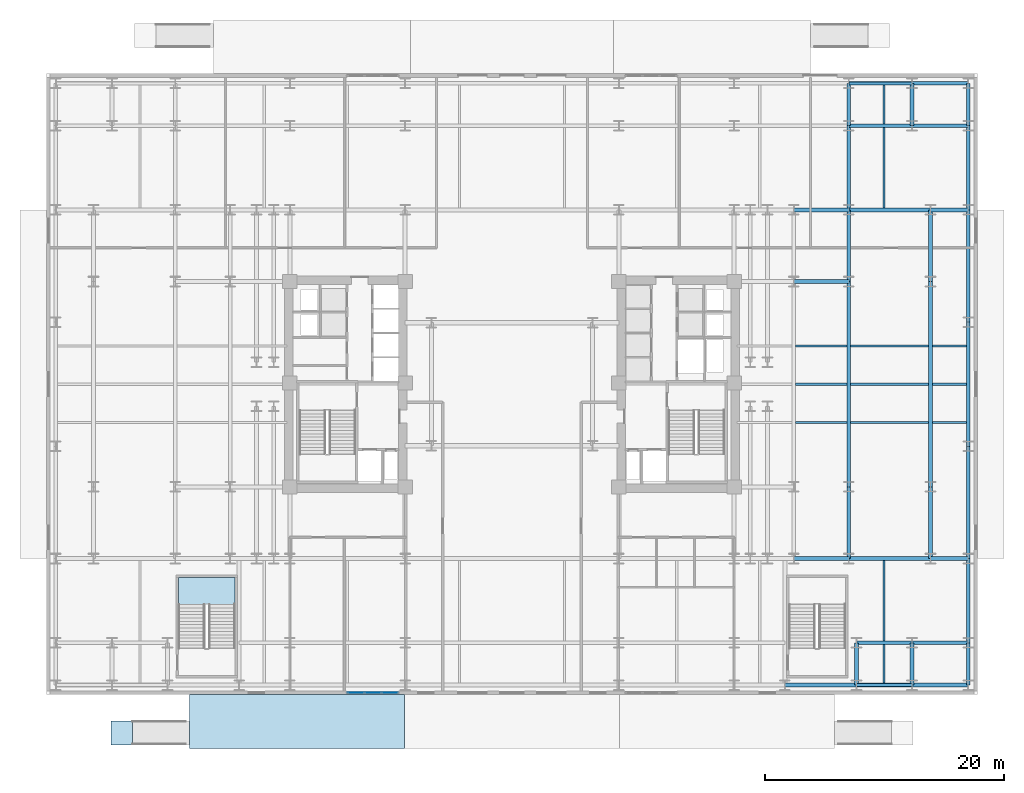
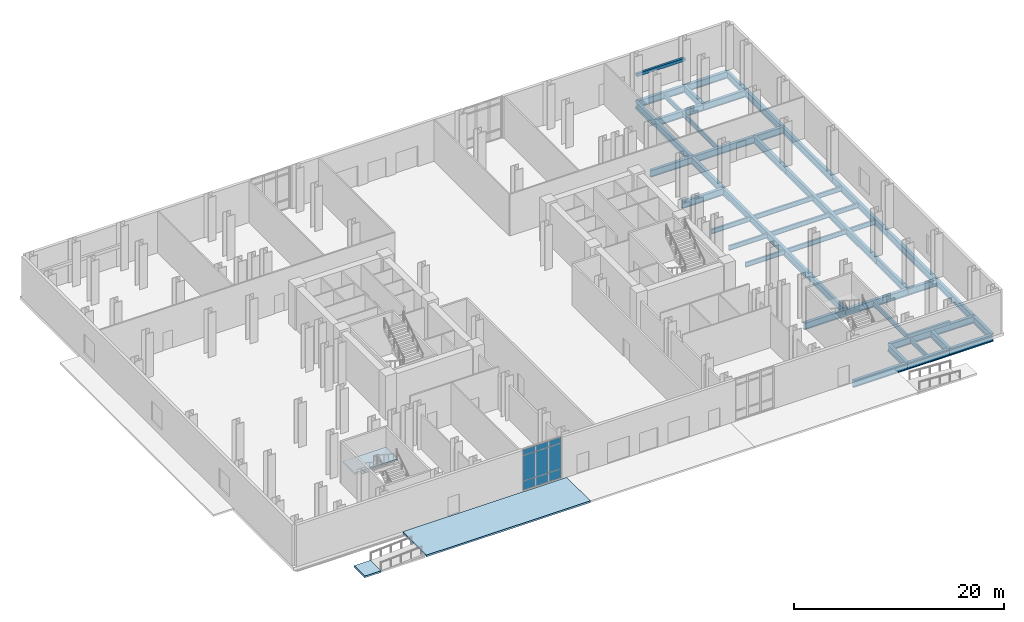
# One storey, part 9 of 21: 49 beams, 9 plates, 3 slabs, 2 elements without a shape of their own.
"""IFC4 building model written with IfcOpenShell, lengths in metres."""

import ifcopenshell
import ifcopenshell.guid

model = None  # the IFC model being written
_history = None  # IfcOwnerHistory: only IFC2X3 demands one
_inside = {}  # id of a spatial element -> (the spatial element, [elements in it])
_under = {}  # id of a project, library or spatial element -> (it, [spatial elements below it])
_declared = {}  # id of a project -> (the project, [libraries it declares])
_typed = {}  # id of a type object -> (the type object, [elements of that type])
_made_of = {}  # id of a material, layer set ... -> (it, [elements and type objects made of it])


def new_model(schema):
    """Start an empty IFC model of exactly this schema.

    Asked for "IFC4X3", IfcOpenShell would pick the latest addendum, in which some entities
    have other attributes; the version numbers below select the first issue.
    IFC2X3 requires an IfcOwnerHistory on every rooted entity: one is made here for all.
    """
    global model, _history
    if schema == "IFC4X3":
        model = ifcopenshell.file(schema_version=(4, 3, 0, 0))
    else:
        model = ifcopenshell.file(schema=schema)
    _inside.clear()
    _under.clear()
    _declared.clear()
    _typed.clear()
    _made_of.clear()
    _history = None
    if model.schema == "IFC2X3":
        org = make("IfcOrganization", Name="unknown")
        user = make(
            "IfcPersonAndOrganization",
            ThePerson=make("IfcPerson", FamilyName="unknown"),
            TheOrganization=org,
        )
        app = make(
            "IfcApplication",
            ApplicationDeveloper=org,
            Version="unknown",
            ApplicationFullName="unknown",
            ApplicationIdentifier="unknown",
        )
        _history = make(
            "IfcOwnerHistory",
            OwningUser=user,
            OwningApplication=app,
            ChangeAction="ADDED",
            CreationDate=0,
        )
    return model


def make(cls, **values):
    """One entity of the class cls with the attributes given. An attribute that is None is left unset."""
    return model.create_entity(
        cls, **{name: value for name, value in values.items() if value is not None}
    )


def rooted(cls, **values):
    """An entity with a GlobalId (a new one), such as an element, a storey or a relation."""
    return make(cls, GlobalId=ifcopenshell.guid.new(), OwnerHistory=_history, **values)


def si_unit(unit_type, name, prefix=None):
    """IfcSIUnit, for example si_unit("LENGTHUNIT", "METRE", prefix="MILLI")."""
    return make("IfcSIUnit", UnitType=unit_type, Prefix=prefix, Name=name)


def assignment(units):
    """IfcUnitAssignment: the units of a project."""
    return None if units is None else make("IfcUnitAssignment", Units=units)


def point(xyz):
    """IfcCartesianPoint."""
    return None if xyz is None else make("IfcCartesianPoint", Coordinates=xyz)


def direction(xyz):
    """IfcDirection."""
    return None if xyz is None else make("IfcDirection", DirectionRatios=xyz)


def frame(location, z_axis=None, x_axis=None):
    """IfcAxis2Placement3D, a coordinate frame: its origin and axes. An axis left out is left unset."""
    return make(
        "IfcAxis2Placement3D",
        Location=point(location),
        Axis=direction(z_axis),
        RefDirection=direction(x_axis),
    )


def frame_2d(location, x_axis=None):
    """IfcAxis2Placement2D, a coordinate frame in the plane: its origin and x axis."""
    return make(
        "IfcAxis2Placement2D", Location=point(location), RefDirection=direction(x_axis)
    )


def origin():
    """The frame at (0, 0, 0) with its axes left unset."""
    return frame((0.0, 0.0, 0.0))


def origin_2d():
    """The frame at (0, 0) in the plane with its x axis left unset."""
    return frame_2d((0.0, 0.0))


def place(relative_to, where):
    """IfcLocalPlacement: puts the frame where relative to a parent placement (None: the world)."""
    return make(
        "IfcLocalPlacement", PlacementRelTo=relative_to, RelativePlacement=where
    )


def context(
    kind, dimensions, precision=None, world=None, true_north=None, identifier=None
):
    """IfcGeometricRepresentationContext, for example the 3D "Model" context."""
    return make(
        "IfcGeometricRepresentationContext",
        ContextIdentifier=identifier,
        ContextType=kind,
        CoordinateSpaceDimension=dimensions,
        Precision=precision,
        WorldCoordinateSystem=world,
        TrueNorth=true_north,
    )


def subcontext(parent, identifier, kind, view, scale=None):
    """IfcGeometricRepresentationSubContext, for example "Body" below "Model"."""
    return make(
        "IfcGeometricRepresentationSubContext",
        ContextIdentifier=identifier,
        ContextType=kind,
        ParentContext=parent,
        TargetScale=scale,
        TargetView=view,
    )


def project(units=None, contexts=None):
    """IfcProject with its units and contexts."""
    return rooted(
        "IfcProject",
        Name="project",
        RepresentationContexts=contexts,
        UnitsInContext=assignment(units),
    )


def spatial(cls, under=None, at=None, **own):
    """A site, building, storey or space (cls), placed at a placement, below another one or the project."""
    s = rooted(cls, ObjectPlacement=at, **own)
    if under is not None:
        _under.setdefault(under.id(), (under, []))[1].append(s)
    return s


def polyline(points):
    """IfcPolyline through the points."""
    return make("IfcPolyline", Points=[point(p) for p in points])


def profile(cls, at=None, kind="AREA", **sizes):
    """A parametric profile (cls). Its sizes go by their IFC names, for example OverallWidth=200.0."""
    return make(cls, ProfileType=kind, Position=at, **sizes)


def rectangle(**sizes):
    """IfcRectangleProfileDef."""
    return profile("IfcRectangleProfileDef", **sizes)


def i_section(**sizes):
    """IfcIShapeProfileDef."""
    return profile("IfcIShapeProfileDef", **sizes)


def outline(outer, holes=None, kind="AREA"):
    """IfcArbitraryClosedProfileDef: a profile drawn as a closed curve; with holes, ...WithVoids."""
    if holes is None:
        return make("IfcArbitraryClosedProfileDef", ProfileType=kind, OuterCurve=outer)
    return make(
        "IfcArbitraryProfileDefWithVoids",
        ProfileType=kind,
        OuterCurve=outer,
        InnerCurves=holes,
    )


def extrude(swept, where, along, depth):
    """IfcExtrudedAreaSolid: the profile swept, set in the frame where, extruded along a direction by depth."""
    return make(
        "IfcExtrudedAreaSolid",
        SweptArea=swept,
        Position=where,
        ExtrudedDirection=direction(along),
        Depth=depth,
    )


def shape(context_of_items, identifier, shape_type, items):
    """IfcShapeRepresentation: the items that make up one representation, for example the "Body"."""
    return make(
        "IfcShapeRepresentation",
        ContextOfItems=context_of_items,
        RepresentationIdentifier=identifier,
        RepresentationType=shape_type,
        Items=items,
    )


def material(Name=None, Category=None):
    """IfcMaterial."""
    return make("IfcMaterial", Name=Name, Category=Category)


def layer(
    of_material, thickness, ventilated=None, Name=None, Category=None, Priority=None
):
    """IfcMaterialLayer: one layer of a wall or slab, of a material (None: an air gap)."""
    return make(
        "IfcMaterialLayer",
        Material=of_material,
        LayerThickness=thickness,
        IsVentilated=ventilated,
        Name=Name,
        Category=Category,
        Priority=Priority,
    )


def layer_set(layers, Name=None):
    """IfcMaterialLayerSet."""
    return make("IfcMaterialLayerSet", MaterialLayers=layers, LayerSetName=Name)


def material_profile(
    of_material, cross_section, Name=None, Category=None, Priority=None
):
    """IfcMaterialProfile: a cross section and its material."""
    return make(
        "IfcMaterialProfile",
        Name=Name,
        Material=of_material,
        Profile=cross_section,
        Priority=Priority,
        Category=Category,
    )


def profile_set(profiles, Name=None, composite=None):
    """IfcMaterialProfileSet."""
    return make(
        "IfcMaterialProfileSet",
        Name=Name,
        MaterialProfiles=profiles,
        CompositeProfile=composite,
    )


def made_of(thing, what):
    """Note that an element or type object is made of a material, layer set ...; save() writes the relation."""
    if what is not None:
        _made_of.setdefault(what.id(), (what, []))[1].append(thing)
    return thing


def type_object(cls, material=None, **own):
    """A type object (cls), such as IfcWallType, which elements share."""
    return made_of(rooted(cls, **own), material)


def element(
    cls,
    number,
    at=None,
    inside=None,
    cuts=None,
    type_object=None,
    material=None,
    context=None,
    identifier="Body",
    shape_type=None,
    held_by="IfcProductDefinitionShape",
    body=None,
    shapes=None,
    **own,
):
    """One element of the class cls, such as IfcWall. Its Tag is "e" and its number.

    at: its placement. inside: the storey or other place that contains it. cuts: it is an
    opening in that element (IfcRelVoidsElement). A single representation is given by context,
    identifier, shape_type and body (its items); several are given by shapes. held_by: the class
    of the entity that holds the representations. save() writes the other relations.
    """
    e = rooted(cls, Tag="e%d" % number, ObjectPlacement=at, **own)
    if body is not None:
        shapes = [shape(context, identifier, shape_type, body)]
    if shapes is not None:
        e.Representation = make(held_by, Representations=shapes)
    if inside is not None:
        _inside.setdefault(inside.id(), (inside, []))[1].append(e)
    if cuts is not None:
        rooted(
            "IfcRelVoidsElement", RelatingBuildingElement=cuts, RelatedOpeningElement=e
        )
    if type_object is not None:
        _typed.setdefault(type_object.id(), (type_object, []))[1].append(e)
    return made_of(e, material)


def aggregate(whole, parts):
    """IfcRelAggregates: a whole, such as a stair, and the parts it consists of."""
    return rooted("IfcRelAggregates", RelatingObject=whole, RelatedObjects=parts)


def save(model, path):
    """Write the relations noted so far, then the file.

    IfcRelAggregates (storeys below a building ...), IfcRelContainedInSpatialStructure (elements
    in a storey), IfcRelDefinesByType, IfcRelAssociatesMaterial and IfcRelDeclares: one each for
    every whole, place, type object, material and project.
    """
    for whole, parts in _under.values():
        aggregate(whole, parts)
    for where, things in _inside.values():
        rooted(
            "IfcRelContainedInSpatialStructure",
            RelatedElements=things,
            RelatingStructure=where,
        )
    for kind, things in _typed.values():
        rooted("IfcRelDefinesByType", RelatedObjects=things, RelatingType=kind)
    for what, things in _made_of.values():
        rooted("IfcRelAssociatesMaterial", RelatedObjects=things, RelatingMaterial=what)
    for by, libraries in _declared.values():
        rooted("IfcRelDeclares", RelatingContext=by, RelatedDefinitions=libraries)
    model.write(path)


model = new_model("IFC4")

# Units and contexts
model_context = context("Model", 3, precision=1e-05, world=origin(), true_north=direction((0.0, 1.0)))
body_context = subcontext(model_context, "Body", "Model", "MODEL_VIEW")
ifc_project = project(units=[si_unit("LENGTHUNIT", "METRE"), si_unit("AREAUNIT", "SQUARE_METRE"), si_unit("VOLUMEUNIT", "CUBIC_METRE"), si_unit("PLANEANGLEUNIT", "RADIAN"), si_unit("MASSUNIT", "GRAM", prefix="KILO")], contexts=[model_context])

# Site, building, storey
site_placement = place(None, origin())
site = spatial("IfcSite", under=ifc_project, at=site_placement, CompositionType="ELEMENT")
building_placement = place(site_placement, origin())
building = spatial("IfcBuilding", under=site, at=building_placement, Name="Velakula Bourse", CompositionType="ELEMENT")
storey_placement = place(building_placement, origin())
storey = spatial("IfcBuildingStorey", under=building, at=storey_placement, Name="L00", CompositionType="ELEMENT", Elevation=0.0)

# Beams
ifc_material_1 = material(Name="Steel IS 2062 Grade 350 (E350)", Category="steel")
ifc_material_profile_1 = material_profile(ifc_material_1, i_section(OverallWidth=0.320068359375, OverallDepth=0.800048828125, WebThickness=0.01806640625, FlangeThickness=0.028076171875, at=origin_2d()), Name="Steel IS 2062 Grade 350 (E350)")
ifc_profile_set_1 = profile_set([ifc_material_profile_1], Name="Steel IS 2062 Grade 350 (E350)")
beam_type_1 = type_object("IfcBeamType", Name="BM-POD-800", PredefinedType="BEAM", material=ifc_profile_set_1)
for number, where, z_axis, x_axis, name in (
    (1, (23.60009765625, -14.60009765625, -0.75), (1.0, 0.0, 0.0), (0.0, 1.0, 0.0), "L00 Fulcrum Grid Girder WNG-ES1"),
    (2, (23.60009765625, 8.60009765625, -0.75), (1.0, 0.0, 0.0), (0.0, 1.0, 0.0), "L00 Fulcrum Grid Girder WNG-EN1"),
    (3, (23.60009765625, 14.60009765625, -0.75), (1.0, 0.0, 0.0), (0.0, 1.0, 0.0), "L00 Fulcrum Grid Girder WNG-EN2"),
):
    element("IfcBeam", number, at=place(storey_placement, frame(where, z_axis=z_axis, x_axis=x_axis)), inside=storey, type_object=beam_type_1, Name=name, PredefinedType="BEAM", context=body_context, shape_type="SweptSolid", body=[
        extrude(i_section(OverallWidth=0.320068359375, OverallDepth=0.800048828125, WebThickness=0.01806640625, FlangeThickness=0.028076171875, at=origin_2d()), origin(), (0.0, 0.0, 1.0), 4.599853515625),
    ])
beam_1_placement = place(storey_placement, frame((28.199951171875, -14.60009765625, -0.75), z_axis=(0.0, 1.0, 0.0), x_axis=(-1.0, 0.0, 0.0)))
element("IfcBeam", 4, at=beam_1_placement, inside=storey, type_object=beam_type_1, Name="L00 Fulcrum Grid Girder WNG-ENS1", PredefinedType="BEAM", context=body_context, shape_type="SweptSolid", body=[
    extrude(i_section(OverallWidth=0.320068359375, OverallDepth=0.800048828125, WebThickness=0.01806640625, FlangeThickness=0.028076171875, at=origin_2d()), origin(), (0.0, 0.0, 1.0), 6.0),
])
beam_2_placement = place(storey_placement, frame((28.199951171875, -8.60009765625, -0.75), z_axis=(0.0, 1.0, 0.0), x_axis=(-1.0, 0.0, 0.0)))
element("IfcBeam", 5, at=beam_2_placement, inside=storey, type_object=beam_type_1, Name="L00 Fulcrum Grid Girder WNG-ENS2", PredefinedType="BEAM", context=body_context, shape_type="SweptSolid", body=[
    extrude(i_section(OverallWidth=0.320068359375, OverallDepth=0.800048828125, WebThickness=0.01806640625, FlangeThickness=0.028076171875, at=origin_2d()), origin(), (0.0, 0.0, 1.0), 17.2001953125),
])
for number, where, z_axis, x_axis, name in (
    (6, (28.199951171875, 8.60009765625, -0.75), (0.0, 1.0, 0.0), (-1.0, 0.0, 0.0), "L00 Fulcrum Grid Girder WNG-ENS3"),
    (7, (22.85009765625, -25.199951171875, -0.75), (1.0, 0.0, 0.0), (0.0, 1.0, 0.0), "L00 Podium E-W Girder 09"),
):
    element("IfcBeam", number, at=place(storey_placement, frame(where, z_axis=z_axis, x_axis=x_axis)), inside=storey, type_object=beam_type_1, Name=name, PredefinedType="BEAM", context=body_context, shape_type="SweptSolid", body=[
        extrude(i_section(OverallWidth=0.320068359375, OverallDepth=0.800048828125, WebThickness=0.01806640625, FlangeThickness=0.028076171875, at=origin_2d()), origin(), (0.0, 0.0, 1.0), 6.0),
    ])
beam_3_placement = place(storey_placement, frame((28.85009765625, -25.199951171875, -0.75), z_axis=(1.0, 0.0, 0.0), x_axis=(0.0, 1.0, 0.0)))
element("IfcBeam", 8, at=beam_3_placement, inside=storey, type_object=beam_type_1, Name="L00 Podium E-W Girder 10", PredefinedType="BEAM", context=body_context, shape_type="SweptSolid", body=[
    extrude(i_section(OverallWidth=0.320068359375, OverallDepth=0.800048828125, WebThickness=0.01806640625, FlangeThickness=0.028076171875, at=origin_2d()), origin(), (0.0, 0.0, 1.0), 4.64990234375),
])
beam_4_placement = place(storey_placement, frame((33.5, -25.199951171875, -0.75), z_axis=(1.0, 0.0, 0.0), x_axis=(0.0, 1.0, 0.0)))
element("IfcBeam", 9, at=beam_4_placement, inside=storey, type_object=beam_type_1, Name="L00 Podium E-W Girder 11", PredefinedType="BEAM", context=body_context, shape_type="SweptSolid", body=[
    extrude(i_section(OverallWidth=0.320068359375, OverallDepth=0.800048828125, WebThickness=0.01806640625, FlangeThickness=0.028076171875, at=origin_2d()), origin(), (0.0, 0.0, 1.0), 4.699951171875),
])
beam_5_placement = place(storey_placement, frame((28.85009765625, -21.64990234375, -0.75), z_axis=(1.0, 0.0, 0.0), x_axis=(0.0, 1.0, 0.0)))
element("IfcBeam", 10, at=beam_5_placement, inside=storey, type_object=beam_type_1, Name="L00 Podium E-W Girder 19", PredefinedType="BEAM", context=body_context, shape_type="SweptSolid", body=[
    extrude(i_section(OverallWidth=0.320068359375, OverallDepth=0.800048828125, WebThickness=0.01806640625, FlangeThickness=0.028076171875, at=origin_2d()), origin(), (0.0, 0.0, 1.0), 4.64990234375),
])
beam_6_placement = place(storey_placement, frame((33.5, -21.64990234375, -0.75), z_axis=(1.0, 0.0, 0.0), x_axis=(0.0, 1.0, 0.0)))
element("IfcBeam", 11, at=beam_6_placement, inside=storey, type_object=beam_type_1, Name="L00 Podium E-W Girder 20", PredefinedType="BEAM", context=body_context, shape_type="SweptSolid", body=[
    extrude(i_section(OverallWidth=0.320068359375, OverallDepth=0.800048828125, WebThickness=0.01806640625, FlangeThickness=0.028076171875, at=origin_2d()), origin(), (0.0, 0.0, 1.0), 4.699951171875),
])
beam_7_placement = place(storey_placement, frame((28.199951171875, -14.60009765625, -0.75), z_axis=(1.0, 0.0, 0.0), x_axis=(0.0, 1.0, 0.0)))
element("IfcBeam", 12, at=beam_7_placement, inside=storey, type_object=beam_type_1, Name="L00 Podium E-W Girder 32", PredefinedType="BEAM", context=body_context, shape_type="SweptSolid", body=[
    extrude(i_section(OverallWidth=0.320068359375, OverallDepth=0.800048828125, WebThickness=0.01806640625, FlangeThickness=0.028076171875, at=origin_2d()), origin(), (0.0, 0.0, 1.0), 6.85009765625),
])
beam_8_placement = place(storey_placement, frame((35.050048828125, -14.60009765625, -0.75), z_axis=(1.0, 0.0, 0.0), x_axis=(0.0, 1.0, 0.0)))
element("IfcBeam", 13, at=beam_8_placement, inside=storey, type_object=beam_type_1, Name="L00 Podium E-W Girder 33", PredefinedType="BEAM", context=body_context, shape_type="SweptSolid", body=[
    extrude(i_section(OverallWidth=0.320068359375, OverallDepth=0.800048828125, WebThickness=0.01806640625, FlangeThickness=0.028076171875, at=origin_2d()), origin(), (0.0, 0.0, 1.0), 3.14990234375),
])
beam_9_placement = place(storey_placement, frame((28.199951171875, 14.60009765625, -0.75), z_axis=(1.0, 0.0, 0.0), x_axis=(0.0, 1.0, 0.0)))
element("IfcBeam", 14, at=beam_9_placement, inside=storey, type_object=beam_type_1, Name="L00 Podium E-W Girder 45", PredefinedType="BEAM", context=body_context, shape_type="SweptSolid", body=[
    extrude(i_section(OverallWidth=0.320068359375, OverallDepth=0.800048828125, WebThickness=0.01806640625, FlangeThickness=0.028076171875, at=origin_2d()), origin(), (0.0, 0.0, 1.0), 6.85009765625),
])
beam_10_placement = place(storey_placement, frame((35.050048828125, 14.60009765625, -0.75), z_axis=(1.0, 0.0, 0.0), x_axis=(0.0, 1.0, 0.0)))
element("IfcBeam", 15, at=beam_10_placement, inside=storey, type_object=beam_type_1, Name="L00 Podium E-W Girder 46", PredefinedType="BEAM", context=body_context, shape_type="SweptSolid", body=[
    extrude(i_section(OverallWidth=0.320068359375, OverallDepth=0.800048828125, WebThickness=0.01806640625, FlangeThickness=0.028076171875, at=origin_2d()), origin(), (0.0, 0.0, 1.0), 3.14990234375),
])
beam_11_placement = place(storey_placement, frame((28.199951171875, 21.64990234375, -0.75), z_axis=(1.0, 0.0, 0.0), x_axis=(0.0, 1.0, 0.0)))
element("IfcBeam", 16, at=beam_11_placement, inside=storey, type_object=beam_type_1, Name="L00 Podium E-W Girder 54", PredefinedType="BEAM", context=body_context, shape_type="SweptSolid", body=[
    extrude(i_section(OverallWidth=0.320068359375, OverallDepth=0.800048828125, WebThickness=0.01806640625, FlangeThickness=0.028076171875, at=origin_2d()), origin(), (0.0, 0.0, 1.0), 5.300048828125),
])
beam_12_placement = place(storey_placement, frame((33.5, 21.64990234375, -0.75), z_axis=(1.0, 0.0, 0.0), x_axis=(0.0, 1.0, 0.0)))
element("IfcBeam", 17, at=beam_12_placement, inside=storey, type_object=beam_type_1, Name="L00 Podium E-W Girder 55", PredefinedType="BEAM", context=body_context, shape_type="SweptSolid", body=[
    extrude(i_section(OverallWidth=0.320068359375, OverallDepth=0.800048828125, WebThickness=0.01806640625, FlangeThickness=0.028076171875, at=origin_2d()), origin(), (0.0, 0.0, 1.0), 4.699951171875),
])
beam_13_placement = place(storey_placement, frame((28.199951171875, 25.199951171875, -0.75), z_axis=(1.0, 0.0, 0.0), x_axis=(0.0, 1.0, 0.0)))
element("IfcBeam", 18, at=beam_13_placement, inside=storey, type_object=beam_type_1, Name="L00 Podium E-W Girder 63", PredefinedType="BEAM", context=body_context, shape_type="SweptSolid", body=[
    extrude(i_section(OverallWidth=0.320068359375, OverallDepth=0.800048828125, WebThickness=0.01806640625, FlangeThickness=0.028076171875, at=origin_2d()), origin(), (0.0, 0.0, 1.0), 5.300048828125),
])
beam_14_placement = place(storey_placement, frame((33.5, 25.199951171875, -0.75), z_axis=(1.0, 0.0, 0.0), x_axis=(0.0, 1.0, 0.0)))
element("IfcBeam", 19, at=beam_14_placement, inside=storey, type_object=beam_type_1, Name="L00 Podium E-W Girder 64", PredefinedType="BEAM", context=body_context, shape_type="SweptSolid", body=[
    extrude(i_section(OverallWidth=0.320068359375, OverallDepth=0.800048828125, WebThickness=0.01806640625, FlangeThickness=0.028076171875, at=origin_2d()), origin(), (0.0, 0.0, 1.0), 4.699951171875),
])
beam_15_placement = place(storey_placement, frame((28.199951171875, 14.60009765625, -0.75), z_axis=(0.0, 1.0, 0.0), x_axis=(-1.0, 0.0, 0.0)))
element("IfcBeam", 20, at=beam_15_placement, inside=storey, type_object=beam_type_1, Name="L00 Podium N-S Girder 85", PredefinedType="BEAM", context=body_context, shape_type="SweptSolid", body=[
    extrude(i_section(OverallWidth=0.320068359375, OverallDepth=0.800048828125, WebThickness=0.01806640625, FlangeThickness=0.028076171875, at=origin_2d()), origin(), (0.0, 0.0, 1.0), 7.0498046875),
])
for number, where, z_axis, x_axis, name in (
    (21, (28.199951171875, 21.64990234375, -0.75), (0.0, 1.0, 0.0), (-1.0, 0.0, 0.0), "L00 Podium N-S Girder 86"),
    (22, (28.85009765625, -25.199951171875, -0.75), (0.0, 1.0, 0.0), (-1.0, 0.0, 0.0), "L00 Podium N-S Girder 87"),
    (23, (33.5, -25.199951171875, -0.75), (0.0, 1.0, 0.0), (-1.0, 0.0, 0.0), "L00 Podium N-S Girder 88"),
):
    element("IfcBeam", number, at=place(storey_placement, frame(where, z_axis=z_axis, x_axis=x_axis)), inside=storey, type_object=beam_type_1, Name=name, PredefinedType="BEAM", context=body_context, shape_type="SweptSolid", body=[
        extrude(i_section(OverallWidth=0.320068359375, OverallDepth=0.800048828125, WebThickness=0.01806640625, FlangeThickness=0.028076171875, at=origin_2d()), origin(), (0.0, 0.0, 1.0), 3.550048828125),
    ])
beam_16_placement = place(storey_placement, frame((35.050048828125, -14.60009765625, -0.75), z_axis=(0.0, 1.0, 0.0), x_axis=(-1.0, 0.0, 0.0)))
element("IfcBeam", 24, at=beam_16_placement, inside=storey, type_object=beam_type_1, Name="L00 Podium N-S Girder 89", PredefinedType="BEAM", context=body_context, shape_type="SweptSolid", body=[
    extrude(i_section(OverallWidth=0.320068359375, OverallDepth=0.800048828125, WebThickness=0.01806640625, FlangeThickness=0.028076171875, at=origin_2d()), origin(), (0.0, 0.0, 1.0), 6.0),
])
beam_17_placement = place(storey_placement, frame((35.050048828125, -8.60009765625, -0.75), z_axis=(0.0, 1.0, 0.0), x_axis=(-1.0, 0.0, 0.0)))
element("IfcBeam", 25, at=beam_17_placement, inside=storey, type_object=beam_type_1, Name="L00 Podium N-S Girder 90", PredefinedType="BEAM", context=body_context, shape_type="SweptSolid", body=[
    extrude(i_section(OverallWidth=0.320068359375, OverallDepth=0.800048828125, WebThickness=0.01806640625, FlangeThickness=0.028076171875, at=origin_2d()), origin(), (0.0, 0.0, 1.0), 17.2001953125),
])
beam_18_placement = place(storey_placement, frame((35.050048828125, 8.60009765625, -0.75), z_axis=(0.0, 1.0, 0.0), x_axis=(-1.0, 0.0, 0.0)))
element("IfcBeam", 26, at=beam_18_placement, inside=storey, type_object=beam_type_1, Name="L00 Podium N-S Girder 91", PredefinedType="BEAM", context=body_context, shape_type="SweptSolid", body=[
    extrude(i_section(OverallWidth=0.320068359375, OverallDepth=0.800048828125, WebThickness=0.01806640625, FlangeThickness=0.028076171875, at=origin_2d()), origin(), (0.0, 0.0, 1.0), 6.0),
])
beam_19_placement = place(storey_placement, frame((38.199951171875, -25.199951171875, -0.75), z_axis=(0.0, 1.0, 0.0), x_axis=(-1.0, 0.0, 0.0)))
element("IfcBeam", 27, at=beam_19_placement, inside=storey, type_object=beam_type_1, Name="L00 Podium N-S Girder 92", PredefinedType="BEAM", context=body_context, shape_type="SweptSolid", body=[
    extrude(i_section(OverallWidth=0.320068359375, OverallDepth=0.800048828125, WebThickness=0.01806640625, FlangeThickness=0.028076171875, at=origin_2d()), origin(), (0.0, 0.0, 1.0), 3.550048828125),
])
beam_20_placement = place(storey_placement, frame((38.199951171875, -21.64990234375, -0.75), z_axis=(0.0, 1.0, 0.0), x_axis=(-1.0, 0.0, 0.0)))
element("IfcBeam", 28, at=beam_20_placement, inside=storey, type_object=beam_type_1, Name="L00 Podium N-S Girder 93", PredefinedType="BEAM", context=body_context, shape_type="SweptSolid", body=[
    extrude(i_section(OverallWidth=0.320068359375, OverallDepth=0.800048828125, WebThickness=0.01806640625, FlangeThickness=0.028076171875, at=origin_2d()), origin(), (0.0, 0.0, 1.0), 7.0498046875),
])
beam_21_placement = place(storey_placement, frame((38.199951171875, -14.60009765625, -0.75), z_axis=(0.0, 1.0, 0.0), x_axis=(-1.0, 0.0, 0.0)))
element("IfcBeam", 29, at=beam_21_placement, inside=storey, type_object=beam_type_1, Name="L00 Podium N-S Girder 94", PredefinedType="BEAM", context=body_context, shape_type="SweptSolid", body=[
    extrude(i_section(OverallWidth=0.320068359375, OverallDepth=0.800048828125, WebThickness=0.01806640625, FlangeThickness=0.028076171875, at=origin_2d()), origin(), (0.0, 0.0, 1.0), 9.400146484375),
])
beam_22_placement = place(storey_placement, frame((38.199951171875, -5.199951171875, -0.75), z_axis=(0.0, 1.0, 0.0), x_axis=(-1.0, 0.0, 0.0)))
element("IfcBeam", 30, at=beam_22_placement, inside=storey, type_object=beam_type_1, Name="L00 Podium N-S Girder 95", PredefinedType="BEAM", context=body_context, shape_type="SweptSolid", body=[
    extrude(i_section(OverallWidth=0.320068359375, OverallDepth=0.800048828125, WebThickness=0.01806640625, FlangeThickness=0.028076171875, at=origin_2d()), origin(), (0.0, 0.0, 1.0), 10.39990234375),
])
beam_23_placement = place(storey_placement, frame((38.199951171875, 5.199951171875, -0.75), z_axis=(0.0, 1.0, 0.0), x_axis=(-1.0, 0.0, 0.0)))
element("IfcBeam", 31, at=beam_23_placement, inside=storey, type_object=beam_type_1, Name="L00 Podium N-S Girder 96", PredefinedType="BEAM", context=body_context, shape_type="SweptSolid", body=[
    extrude(i_section(OverallWidth=0.320068359375, OverallDepth=0.800048828125, WebThickness=0.01806640625, FlangeThickness=0.028076171875, at=origin_2d()), origin(), (0.0, 0.0, 1.0), 9.400146484375),
])
beam_24_placement = place(storey_placement, frame((38.199951171875, 14.60009765625, -0.75), z_axis=(0.0, 1.0, 0.0), x_axis=(-1.0, 0.0, 0.0)))
element("IfcBeam", 32, at=beam_24_placement, inside=storey, type_object=beam_type_1, Name="L00 Podium N-S Girder 97", PredefinedType="BEAM", context=body_context, shape_type="SweptSolid", body=[
    extrude(i_section(OverallWidth=0.320068359375, OverallDepth=0.800048828125, WebThickness=0.01806640625, FlangeThickness=0.028076171875, at=origin_2d()), origin(), (0.0, 0.0, 1.0), 7.0498046875),
])
for number, where, z_axis, x_axis, name in (
    (33, (38.199951171875, 21.64990234375, -0.75), (0.0, 1.0, 0.0), (-1.0, 0.0, 0.0), "L00 Podium N-S Girder 98"),
    (34, (33.5, 21.64990234375, -0.75), (0.0, 1.0, 0.0), (-1.0, 0.0, 0.0), "L00 Podium N-S Girder 100"),
):
    element("IfcBeam", number, at=place(storey_placement, frame(where, z_axis=z_axis, x_axis=x_axis)), inside=storey, type_object=beam_type_1, Name=name, PredefinedType="BEAM", context=body_context, shape_type="SweptSolid", body=[
        extrude(i_section(OverallWidth=0.320068359375, OverallDepth=0.800048828125, WebThickness=0.01806640625, FlangeThickness=0.028076171875, at=origin_2d()), origin(), (0.0, 0.0, 1.0), 3.550048828125),
    ])
ifc_material_profile_2 = material_profile(ifc_material_1, i_section(OverallWidth=0.18994140625, OverallDepth=0.550048828125, WebThickness=0.01123046875, FlangeThickness=0.019287109375, at=origin_2d()), Name="Steel IS 2062 Grade 350 (E350)")
ifc_profile_set_2 = profile_set([ifc_material_profile_2], Name="Steel IS 2062 Grade 350 (E350)")
beam_type_2 = type_object("IfcBeamType", Name="JST-POD-550", PredefinedType="JOIST", material=ifc_profile_set_2)
beam_25_placement = place(storey_placement, frame((31.14990234375, -25.0400390625, -0.625), z_axis=(0.0, 1.0, 0.0), x_axis=(-1.0, 0.0, 0.0)))
element("IfcBeam", 35, at=beam_25_placement, inside=storey, type_object=beam_type_2, Name="L00 Station Podium Floor Joist 29", PredefinedType="JOIST", context=body_context, shape_type="SweptSolid", body=[
    extrude(i_section(OverallWidth=0.18994140625, OverallDepth=0.550048828125, WebThickness=0.01123046875, FlangeThickness=0.019287109375, at=origin_2d()), origin(), (0.0, 0.0, 1.0), 3.22998046875),
])
for number, where, z_axis, x_axis, name in (
    (36, (31.14990234375, -21.489990234375, -0.625), (0.0, 1.0, 0.0), (-1.0, 0.0, 0.0), "L00 Station Podium Floor Joist 30"),
    (37, (31.14990234375, 14.760009765625, -0.625), (0.0, 1.0, 0.0), (-1.0, 0.0, 0.0), "L00 Station Podium Floor Joist 31"),
):
    element("IfcBeam", number, at=place(storey_placement, frame(where, z_axis=z_axis, x_axis=x_axis)), inside=storey, type_object=beam_type_2, Name=name, PredefinedType="JOIST", context=body_context, shape_type="SweptSolid", body=[
        extrude(i_section(OverallWidth=0.18994140625, OverallDepth=0.550048828125, WebThickness=0.01123046875, FlangeThickness=0.019287109375, at=origin_2d()), origin(), (0.0, 0.0, 1.0), 6.72998046875),
    ])
beam_26_placement = place(storey_placement, frame((31.14990234375, 21.81005859375, -0.625), z_axis=(0.0, 1.0, 0.0), x_axis=(-1.0, 0.0, 0.0)))
element("IfcBeam", 38, at=beam_26_placement, inside=storey, type_object=beam_type_2, Name="L00 Station Podium Floor Joist 32", PredefinedType="JOIST", context=body_context, shape_type="SweptSolid", body=[
    extrude(i_section(OverallWidth=0.18994140625, OverallDepth=0.550048828125, WebThickness=0.01123046875, FlangeThickness=0.019287109375, at=origin_2d()), origin(), (0.0, 0.0, 1.0), 3.22998046875),
])
beam_27_placement = place(storey_placement, frame((23.760009765625, -3.199951171875, -0.625), z_axis=(1.0, 0.0, 0.0), x_axis=(0.0, 1.0, 0.0)))
element("IfcBeam", 39, at=beam_27_placement, inside=storey, type_object=beam_type_2, Name="L00 Station Wing Floor Joist 38", PredefinedType="JOIST", context=body_context, shape_type="SweptSolid", body=[
    extrude(i_section(OverallWidth=0.18994140625, OverallDepth=0.550048828125, WebThickness=0.01123046875, FlangeThickness=0.019287109375, at=origin_2d()), origin(), (0.0, 0.0, 1.0), 4.280029296875),
])
beam_28_placement = place(storey_placement, frame((28.360107421875, -3.199951171875, -0.625), z_axis=(1.0, 0.0, 0.0), x_axis=(0.0, 1.0, 0.0)))
element("IfcBeam", 40, at=beam_28_placement, inside=storey, type_object=beam_type_2, Name="L00 Station Wing Floor Joist 39", PredefinedType="JOIST", context=body_context, shape_type="SweptSolid", body=[
    extrude(i_section(OverallWidth=0.18994140625, OverallDepth=0.550048828125, WebThickness=0.01123046875, FlangeThickness=0.019287109375, at=origin_2d()), origin(), (0.0, 0.0, 1.0), 6.52978515625),
])
beam_29_placement = place(storey_placement, frame((35.2099609375, -3.199951171875, -0.625), z_axis=(1.0, 0.0, 0.0), x_axis=(0.0, 1.0, 0.0)))
element("IfcBeam", 41, at=beam_29_placement, inside=storey, type_object=beam_type_2, Name="L00 Station Wing Floor Joist 40", PredefinedType="JOIST", context=body_context, shape_type="SweptSolid", body=[
    extrude(i_section(OverallWidth=0.18994140625, OverallDepth=0.550048828125, WebThickness=0.01123046875, FlangeThickness=0.019287109375, at=origin_2d()), origin(), (0.0, 0.0, 1.0), 2.830078125),
])
beam_30_placement = place(storey_placement, frame((23.760009765625, 0.0, -0.625), z_axis=(1.0, 0.0, 0.0), x_axis=(0.0, 1.0, 0.0)))
element("IfcBeam", 42, at=beam_30_placement, inside=storey, type_object=beam_type_2, Name="L00 Station Wing Floor Joist 46", PredefinedType="JOIST", context=body_context, shape_type="SweptSolid", body=[
    extrude(i_section(OverallWidth=0.18994140625, OverallDepth=0.550048828125, WebThickness=0.01123046875, FlangeThickness=0.019287109375, at=origin_2d()), origin(), (0.0, 0.0, 1.0), 4.280029296875),
])
beam_31_placement = place(storey_placement, frame((28.360107421875, 0.0, -0.625), z_axis=(1.0, 0.0, 0.0), x_axis=(0.0, 1.0, 0.0)))
element("IfcBeam", 43, at=beam_31_placement, inside=storey, type_object=beam_type_2, Name="L00 Station Wing Floor Joist 47", PredefinedType="JOIST", context=body_context, shape_type="SweptSolid", body=[
    extrude(i_section(OverallWidth=0.18994140625, OverallDepth=0.550048828125, WebThickness=0.01123046875, FlangeThickness=0.019287109375, at=origin_2d()), origin(), (0.0, 0.0, 1.0), 6.52978515625),
])
beam_32_placement = place(storey_placement, frame((35.2099609375, 0.0, -0.625), z_axis=(1.0, 0.0, 0.0), x_axis=(0.0, 1.0, 0.0)))
element("IfcBeam", 44, at=beam_32_placement, inside=storey, type_object=beam_type_2, Name="L00 Station Wing Floor Joist 48", PredefinedType="JOIST", context=body_context, shape_type="SweptSolid", body=[
    extrude(i_section(OverallWidth=0.18994140625, OverallDepth=0.550048828125, WebThickness=0.01123046875, FlangeThickness=0.019287109375, at=origin_2d()), origin(), (0.0, 0.0, 1.0), 2.830078125),
])
beam_33_placement = place(storey_placement, frame((23.760009765625, 3.199951171875, -0.625), z_axis=(1.0, 0.0, 0.0), x_axis=(0.0, 1.0, 0.0)))
element("IfcBeam", 45, at=beam_33_placement, inside=storey, type_object=beam_type_2, Name="L00 Station Wing Floor Joist 54", PredefinedType="JOIST", context=body_context, shape_type="SweptSolid", body=[
    extrude(i_section(OverallWidth=0.18994140625, OverallDepth=0.550048828125, WebThickness=0.01123046875, FlangeThickness=0.019287109375, at=origin_2d()), origin(), (0.0, 0.0, 1.0), 4.280029296875),
])
beam_34_placement = place(storey_placement, frame((28.360107421875, 3.199951171875, -0.625), z_axis=(1.0, 0.0, 0.0), x_axis=(0.0, 1.0, 0.0)))
element("IfcBeam", 46, at=beam_34_placement, inside=storey, type_object=beam_type_2, Name="L00 Station Wing Floor Joist 55", PredefinedType="JOIST", context=body_context, shape_type="SweptSolid", body=[
    extrude(i_section(OverallWidth=0.18994140625, OverallDepth=0.550048828125, WebThickness=0.01123046875, FlangeThickness=0.019287109375, at=origin_2d()), origin(), (0.0, 0.0, 1.0), 6.52978515625),
])
beam_35_placement = place(storey_placement, frame((35.2099609375, 3.199951171875, -0.625), z_axis=(1.0, 0.0, 0.0), x_axis=(0.0, 1.0, 0.0)))
element("IfcBeam", 47, at=beam_35_placement, inside=storey, type_object=beam_type_2, Name="L00 Station Wing Floor Joist 56", PredefinedType="JOIST", context=body_context, shape_type="SweptSolid", body=[
    extrude(i_section(OverallWidth=0.18994140625, OverallDepth=0.550048828125, WebThickness=0.01123046875, FlangeThickness=0.019287109375, at=origin_2d()), origin(), (0.0, 0.0, 1.0), 2.830078125),
])
ifc_material_2 = material(Name="Precast concrete M45 (fck 45 MPa)", Category="concrete")
ifc_material_profile_3 = material_profile(ifc_material_2, rectangle(XDim=0.25, YDim=0.35009765625, at=origin_2d()), Name="Precast concrete M45 (fck 45 MPa)")
ifc_profile_set_3 = profile_set([ifc_material_profile_3], Name="Precast concrete M45 (fck 45 MPa)")
beam_type_3 = type_object("IfcBeamType", Name="LIN-PC-350", PredefinedType="LINTEL", material=ifc_profile_set_3)
beam_36_placement = place(storey_placement, frame((28.85009765625, -25.199951171875, 2.64990234375), z_axis=(1.0, 0.0, 0.0), x_axis=(0.0, 1.0, 0.0)))
element("IfcBeam", 48, at=beam_36_placement, inside=storey, type_object=beam_type_3, Name="L00 Station Masonry Portal Precast Lintel S3", PredefinedType="LINTEL", context=body_context, shape_type="SweptSolid", body=[
    extrude(rectangle(XDim=0.25, YDim=0.35009765625, at=origin_2d()), origin(), (0.0, 0.0, 1.0), 4.64990234375),
])
beam_37_placement = place(storey_placement, frame((28.199951171875, 25.199951171875, 2.64990234375), z_axis=(1.0, 0.0, 0.0), x_axis=(0.0, 1.0, 0.0)))
element("IfcBeam", 49, at=beam_37_placement, inside=storey, type_object=beam_type_3, Name="L00 Station Masonry Portal Precast Lintel N3", PredefinedType="LINTEL", context=body_context, shape_type="SweptSolid", body=[
    extrude(rectangle(XDim=0.25, YDim=0.35009765625, at=origin_2d()), origin(), (0.0, 0.0, 1.0), 5.300048828125),
])

# Curtain wall, plates
ifc_material_3 = material(Name="Anodised bronze architectural aluminium", Category="aluminium")
ifc_layer_1 = layer(ifc_material_3, 0.199951171875, Name="Anodised bronze architectural aluminium", Category="aluminium")
ifc_layer_set_1 = layer_set([ifc_layer_1], Name="Anodised bronze architectural aluminium")
curtain_wall_type = type_object("IfcCurtainWallType", Name="CW-ST1", PredefinedType="NOTDEFINED", material=ifc_layer_set_1)
curtain_wall_placement = place(storey_placement, origin())
curtain_wall = element("IfcCurtainWall", 50, at=curtain_wall_placement, inside=storey, type_object=curtain_wall_type, Name="L00 South Station Galleria Curtain Wall 4", PredefinedType="NOTDEFINED")
ifc_material_4 = material(Name="Double-glazed solar-control Low-E glass", Category="glass")
ifc_layer_2 = layer(ifc_material_4, 0.028076171875, Name="Double-glazed solar-control Low-E glass", Category="glass")
ifc_layer_set_2 = layer_set([ifc_layer_2], Name="Double-glazed solar-control Low-E glass")
plate_type = type_object("IfcPlateType", Name="PNL-CW-ST1", PredefinedType="CURTAIN_PANEL", material=ifc_layer_set_2)
plate_1_placement = place(storey_placement, frame((-10.231689453125, -25.840087890625, 0.06005859375), z_axis=(0.0, 0.0, 1.0), x_axis=(-1.0, 0.0, 0.0)))
plate_1 = element("IfcPlate", 51, at=plate_1_placement, type_object=plate_type, Name="CW-ST1 panel 1.1", PredefinedType="CURTAIN_PANEL", context=body_context, shape_type="SweptSolid", body=[
    extrude(rectangle(XDim=1.34326171875, YDim=0.028076171875, at=origin_2d()), origin(), (0.0, 0.0, 1.0), 1.010009765625),
])
plate_2_placement = place(storey_placement, frame((-10.231689453125, -25.840087890625, 1.130126953125), z_axis=(0.0, 0.0, 1.0), x_axis=(-1.0, 0.0, 0.0)))
plate_2 = element("IfcPlate", 52, at=plate_2_placement, type_object=plate_type, Name="CW-ST1 panel 1.2", PredefinedType="CURTAIN_PANEL", context=body_context, shape_type="SweptSolid", body=[
    extrude(rectangle(XDim=1.34326171875, YDim=0.028076171875, at=origin_2d()), origin(), (0.0, 0.0, 1.0), 2.919921875),
])
plate_3_placement = place(storey_placement, frame((-10.231689453125, -25.840087890625, 4.10986328125), z_axis=(0.0, 0.0, 1.0), x_axis=(-1.0, 0.0, 0.0)))
plate_3 = element("IfcPlate", 53, at=plate_3_placement, type_object=plate_type, Name="CW-ST1 panel 1.3", PredefinedType="CURTAIN_PANEL", context=body_context, shape_type="SweptSolid", body=[
    extrude(rectangle(XDim=1.34326171875, YDim=0.028076171875, at=origin_2d()), origin(), (0.0, 0.0, 1.0), 0.659912109375),
])
plate_4_placement = place(storey_placement, frame((-11.64990234375, -25.840087890625, 0.06005859375), z_axis=(0.0, 0.0, 1.0), x_axis=(-1.0, 0.0, 0.0)))
plate_4 = element("IfcPlate", 54, at=plate_4_placement, type_object=plate_type, Name="CW-ST1 panel 2.1", PredefinedType="CURTAIN_PANEL", context=body_context, shape_type="SweptSolid", body=[
    extrude(rectangle(XDim=1.373291015625, YDim=0.028076171875, at=origin_2d()), origin(), (0.0, 0.0, 1.0), 1.010009765625),
])
plate_5_placement = place(storey_placement, frame((-11.64990234375, -25.840087890625, 1.130126953125), z_axis=(0.0, 0.0, 1.0), x_axis=(-1.0, 0.0, 0.0)))
plate_5 = element("IfcPlate", 55, at=plate_5_placement, type_object=plate_type, Name="CW-ST1 panel 2.2", PredefinedType="CURTAIN_PANEL", context=body_context, shape_type="SweptSolid", body=[
    extrude(rectangle(XDim=1.373291015625, YDim=0.028076171875, at=origin_2d()), origin(), (0.0, 0.0, 1.0), 2.919921875),
])
plate_6_placement = place(storey_placement, frame((-11.64990234375, -25.840087890625, 4.10986328125), z_axis=(0.0, 0.0, 1.0), x_axis=(-1.0, 0.0, 0.0)))
plate_6 = element("IfcPlate", 56, at=plate_6_placement, type_object=plate_type, Name="CW-ST1 panel 2.3", PredefinedType="CURTAIN_PANEL", context=body_context, shape_type="SweptSolid", body=[
    extrude(rectangle(XDim=1.373291015625, YDim=0.028076171875, at=origin_2d()), origin(), (0.0, 0.0, 1.0), 0.659912109375),
])
plate_7_placement = place(storey_placement, frame((-13.068359375, -25.840087890625, 0.06005859375), z_axis=(0.0, 0.0, 1.0), x_axis=(-1.0, 0.0, 0.0)))
plate_7 = element("IfcPlate", 57, at=plate_7_placement, type_object=plate_type, Name="CW-ST1 panel 3.1", PredefinedType="CURTAIN_PANEL", context=body_context, shape_type="SweptSolid", body=[
    extrude(rectangle(XDim=1.34326171875, YDim=0.028076171875, at=origin_2d()), origin(), (0.0, 0.0, 1.0), 1.010009765625),
])
plate_8_placement = place(storey_placement, frame((-13.068359375, -25.840087890625, 1.130126953125), z_axis=(0.0, 0.0, 1.0), x_axis=(-1.0, 0.0, 0.0)))
plate_8 = element("IfcPlate", 58, at=plate_8_placement, type_object=plate_type, Name="CW-ST1 panel 3.2", PredefinedType="CURTAIN_PANEL", context=body_context, shape_type="SweptSolid", body=[
    extrude(rectangle(XDim=1.34326171875, YDim=0.028076171875, at=origin_2d()), origin(), (0.0, 0.0, 1.0), 2.919921875),
])
plate_9_placement = place(storey_placement, frame((-13.068359375, -25.840087890625, 4.10986328125), z_axis=(0.0, 0.0, 1.0), x_axis=(-1.0, 0.0, 0.0)))
plate_9 = element("IfcPlate", 59, at=plate_9_placement, type_object=plate_type, Name="CW-ST1 panel 3.3", PredefinedType="CURTAIN_PANEL", context=body_context, shape_type="SweptSolid", body=[
    extrude(rectangle(XDim=1.34326171875, YDim=0.028076171875, at=origin_2d()), origin(), (0.0, 0.0, 1.0), 0.659912109375),
])
aggregate(curtain_wall, [plate_1, plate_2, plate_3, plate_4, plate_5, plate_6, plate_7, plate_8, plate_9])

# Slabs
ifc_material_5 = material(Name="Deccan basalt stone paving", Category="masonry")
ifc_layer_3 = layer(ifc_material_5, 0.199951171875, Name="Deccan basalt stone paving", Category="masonry")
ifc_layer_set_3 = layer_set([ifc_layer_3], Name="Deccan basalt stone paving")
slab_type_1 = type_object("IfcSlabType", Name="SLB-PLAZA-200", PredefinedType="USERDEFINED", material=ifc_layer_set_3)
slab_1_placement = place(storey_placement, frame((0.0, 0.0, -0.199951171875)))
element("IfcSlab", 60, at=slab_1_placement, inside=storey, type_object=slab_type_1, Name="L00 South Station Forecourt Basalt Plaza Slab 1", ObjectType="PAVING", PredefinedType="USERDEFINED", context=body_context, shape_type="SweptSolid", body=[
    extrude(outline(polyline([(-27.0, -30.5), (-9.0, -30.5), (-9.0, -26.0), (-27.0, -26.0), (-27.0, -30.5)])), origin(), (0.0, 0.0, 1.0), 0.199951171875),
])
ifc_material_6 = material(Name="Concrete M45 (fck 45 MPa)", Category="concrete")
ifc_layer_4 = layer(ifc_material_6, 0.2099609375, Name="Concrete M45 (fck 45 MPa)", Category="concrete")
ifc_layer_set_4 = layer_set([ifc_layer_4], Name="Concrete M45 (fck 45 MPa)")
slab_type_2 = type_object("IfcSlabType", Name="SLB-RAMP-LND-210", PredefinedType="LANDING", material=ifc_layer_set_4)
slab_2_placement = place(storey_placement, frame((0.0, 0.0, -0.510009765625)))
element("IfcSlab", 61, at=slab_2_placement, inside=storey, type_object=slab_type_2, Name="South-West Station Flood-Threshold Ramp Lower Approach Landing", PredefinedType="LANDING", context=body_context, shape_type="SweptSolid", body=[
    extrude(outline(polyline([(-33.60009765625, -30.199951171875), (-31.800048828125, -30.199951171875), (-31.800048828125, -28.199951171875), (-33.60009765625, -28.199951171875), (-33.60009765625, -30.199951171875)])), origin(), (0.0, 0.0, 1.0), 0.2099609375),
])

# Stair, slab
stair_type = type_object("IfcStairType", Name="STR-DOG-510", PredefinedType="HALF_TURN_STAIR", material=ifc_material_6)
stair_placement = place(storey_placement, origin())
stair = element("IfcStair", 62, at=stair_placement, inside=storey, type_object=stair_type, Name="L00 West Podium Exit Stair ST-P1", PredefinedType="HALF_TURN_STAIR")
ifc_layer_5 = layer(ifc_material_6, 0.199951171875, Name="Concrete M45 (fck 45 MPa)", Category="concrete")
ifc_layer_set_5 = layer_set([ifc_layer_5], Name="Concrete M45 (fck 45 MPa)")
slab_type_3 = type_object("IfcSlabType", Name="SLB-STAIR-LND-200", PredefinedType="LANDING", material=ifc_layer_set_5)
slab_3_placement = place(storey_placement, frame((0.0, 0.0, 2.35009765625)))
slab_3 = element("IfcSlab", 63, at=slab_3_placement, type_object=slab_type_3, Name="ST-P1 landing 1", PredefinedType="LANDING", context=body_context, shape_type="SweptSolid", body=[
    extrude(outline(polyline([(-23.199951171875, -18.4599609375), (-23.199951171875, -16.199951171875), (-27.919921875, -16.199951171875), (-27.919921875, -18.4599609375), (-23.199951171875, -18.4599609375)])), origin(), (0.0, 0.0, 1.0), 0.199951171875),
])
aggregate(stair, [slab_3])

save(model, "model.ifc")
